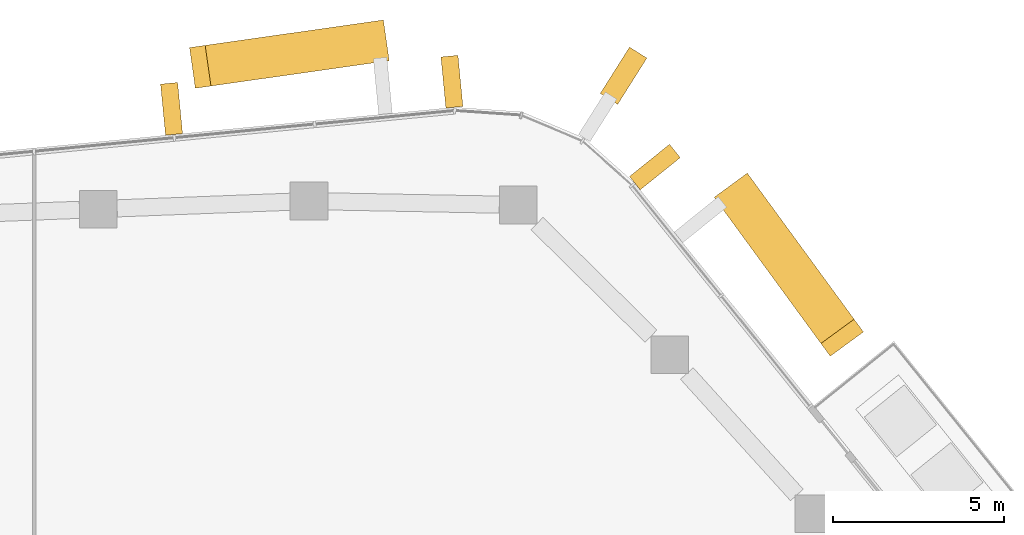
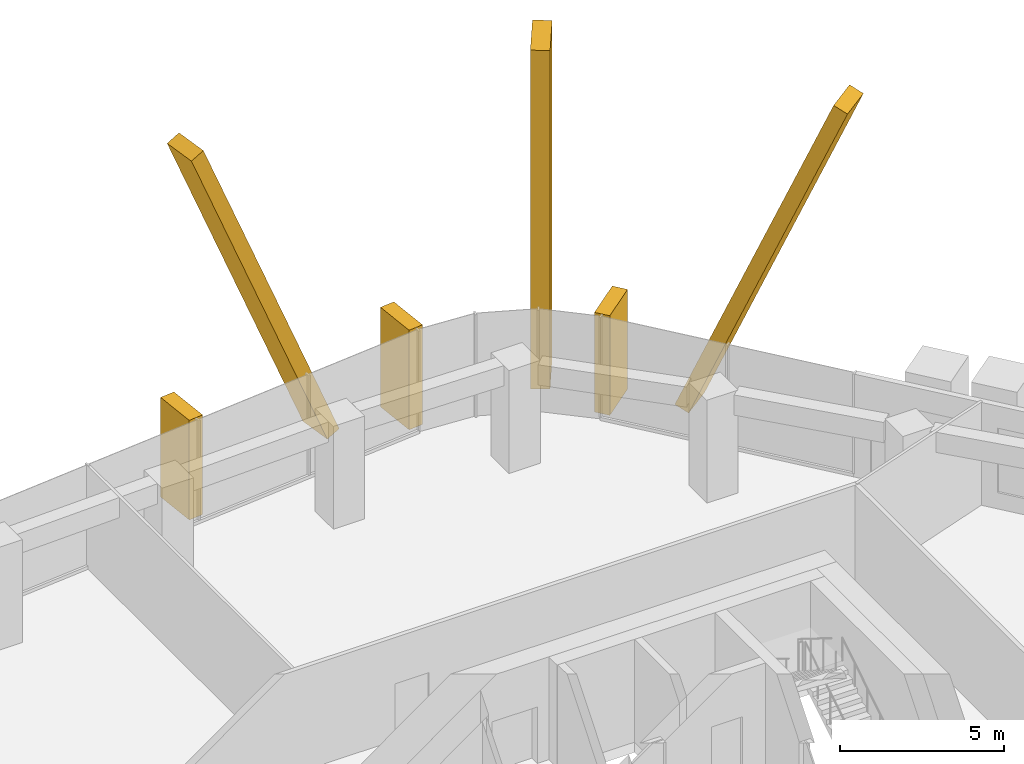
# One storey, part 20 of 20: 6 coverings, 3 elements without a shape of their own.
"""IFC4 building model written with IfcOpenShell, lengths in metres."""

import ifcopenshell
import ifcopenshell.guid

model = None  # the IFC model being written
_history = None  # IfcOwnerHistory: only IFC2X3 demands one
_inside = {}  # id of a spatial element -> (the spatial element, [elements in it])
_under = {}  # id of a project, library or spatial element -> (it, [spatial elements below it])
_declared = {}  # id of a project -> (the project, [libraries it declares])
_typed = {}  # id of a type object -> (the type object, [elements of that type])
_made_of = {}  # id of a material, layer set ... -> (it, [elements and type objects made of it])


def new_model(schema):
    """Start an empty IFC model of exactly this schema.

    Asked for "IFC4X3", IfcOpenShell would pick the latest addendum, in which some entities
    have other attributes; the version numbers below select the first issue.
    IFC2X3 requires an IfcOwnerHistory on every rooted entity: one is made here for all.
    """
    global model, _history
    if schema == "IFC4X3":
        model = ifcopenshell.file(schema_version=(4, 3, 0, 0))
    else:
        model = ifcopenshell.file(schema=schema)
    _inside.clear()
    _under.clear()
    _declared.clear()
    _typed.clear()
    _made_of.clear()
    _history = None
    if model.schema == "IFC2X3":
        org = make("IfcOrganization", Name="unknown")
        user = make(
            "IfcPersonAndOrganization",
            ThePerson=make("IfcPerson", FamilyName="unknown"),
            TheOrganization=org,
        )
        app = make(
            "IfcApplication",
            ApplicationDeveloper=org,
            Version="unknown",
            ApplicationFullName="unknown",
            ApplicationIdentifier="unknown",
        )
        _history = make(
            "IfcOwnerHistory",
            OwningUser=user,
            OwningApplication=app,
            ChangeAction="ADDED",
            CreationDate=0,
        )
    return model


def make(cls, **values):
    """One entity of the class cls with the attributes given. An attribute that is None is left unset."""
    return model.create_entity(
        cls, **{name: value for name, value in values.items() if value is not None}
    )


def rooted(cls, **values):
    """An entity with a GlobalId (a new one), such as an element, a storey or a relation."""
    return make(cls, GlobalId=ifcopenshell.guid.new(), OwnerHistory=_history, **values)


def si_unit(unit_type, name, prefix=None):
    """IfcSIUnit, for example si_unit("LENGTHUNIT", "METRE", prefix="MILLI")."""
    return make("IfcSIUnit", UnitType=unit_type, Prefix=prefix, Name=name)


def assignment(units):
    """IfcUnitAssignment: the units of a project."""
    return None if units is None else make("IfcUnitAssignment", Units=units)


def point(xyz):
    """IfcCartesianPoint."""
    return None if xyz is None else make("IfcCartesianPoint", Coordinates=xyz)


def direction(xyz):
    """IfcDirection."""
    return None if xyz is None else make("IfcDirection", DirectionRatios=xyz)


def frame(location, z_axis=None, x_axis=None):
    """IfcAxis2Placement3D, a coordinate frame: its origin and axes. An axis left out is left unset."""
    return make(
        "IfcAxis2Placement3D",
        Location=point(location),
        Axis=direction(z_axis),
        RefDirection=direction(x_axis),
    )


def frame_2d(location, x_axis=None):
    """IfcAxis2Placement2D, a coordinate frame in the plane: its origin and x axis."""
    return make(
        "IfcAxis2Placement2D", Location=point(location), RefDirection=direction(x_axis)
    )


def origin():
    """The frame at (0, 0, 0) with its axes left unset."""
    return frame((0.0, 0.0, 0.0))


def origin_2d():
    """The frame at (0, 0) in the plane with its x axis left unset."""
    return frame_2d((0.0, 0.0))


def place(relative_to, where):
    """IfcLocalPlacement: puts the frame where relative to a parent placement (None: the world)."""
    return make(
        "IfcLocalPlacement", PlacementRelTo=relative_to, RelativePlacement=where
    )


def context(
    kind, dimensions, precision=None, world=None, true_north=None, identifier=None
):
    """IfcGeometricRepresentationContext, for example the 3D "Model" context."""
    return make(
        "IfcGeometricRepresentationContext",
        ContextIdentifier=identifier,
        ContextType=kind,
        CoordinateSpaceDimension=dimensions,
        Precision=precision,
        WorldCoordinateSystem=world,
        TrueNorth=true_north,
    )


def subcontext(parent, identifier, kind, view, scale=None):
    """IfcGeometricRepresentationSubContext, for example "Body" below "Model"."""
    return make(
        "IfcGeometricRepresentationSubContext",
        ContextIdentifier=identifier,
        ContextType=kind,
        ParentContext=parent,
        TargetScale=scale,
        TargetView=view,
    )


def project(units=None, contexts=None):
    """IfcProject with its units and contexts."""
    return rooted(
        "IfcProject",
        Name="project",
        RepresentationContexts=contexts,
        UnitsInContext=assignment(units),
    )


def spatial(cls, under=None, at=None, **own):
    """A site, building, storey or space (cls), placed at a placement, below another one or the project."""
    s = rooted(cls, ObjectPlacement=at, **own)
    if under is not None:
        _under.setdefault(under.id(), (under, []))[1].append(s)
    return s


def profile(cls, at=None, kind="AREA", **sizes):
    """A parametric profile (cls). Its sizes go by their IFC names, for example OverallWidth=200.0."""
    return make(cls, ProfileType=kind, Position=at, **sizes)


def rectangle(**sizes):
    """IfcRectangleProfileDef."""
    return profile("IfcRectangleProfileDef", **sizes)


def extrude(swept, where, along, depth):
    """IfcExtrudedAreaSolid: the profile swept, set in the frame where, extruded along a direction by depth."""
    return make(
        "IfcExtrudedAreaSolid",
        SweptArea=swept,
        Position=where,
        ExtrudedDirection=direction(along),
        Depth=depth,
    )


def shape(context_of_items, identifier, shape_type, items):
    """IfcShapeRepresentation: the items that make up one representation, for example the "Body"."""
    return make(
        "IfcShapeRepresentation",
        ContextOfItems=context_of_items,
        RepresentationIdentifier=identifier,
        RepresentationType=shape_type,
        Items=items,
    )


def material(Name=None, Category=None):
    """IfcMaterial."""
    return make("IfcMaterial", Name=Name, Category=Category)


def layer(
    of_material, thickness, ventilated=None, Name=None, Category=None, Priority=None
):
    """IfcMaterialLayer: one layer of a wall or slab, of a material (None: an air gap)."""
    return make(
        "IfcMaterialLayer",
        Material=of_material,
        LayerThickness=thickness,
        IsVentilated=ventilated,
        Name=Name,
        Category=Category,
        Priority=Priority,
    )


def layer_set(layers, Name=None):
    """IfcMaterialLayerSet."""
    return make("IfcMaterialLayerSet", MaterialLayers=layers, LayerSetName=Name)


def material_profile(
    of_material, cross_section, Name=None, Category=None, Priority=None
):
    """IfcMaterialProfile: a cross section and its material."""
    return make(
        "IfcMaterialProfile",
        Name=Name,
        Material=of_material,
        Profile=cross_section,
        Priority=Priority,
        Category=Category,
    )


def profile_set(profiles, Name=None, composite=None):
    """IfcMaterialProfileSet."""
    return make(
        "IfcMaterialProfileSet",
        Name=Name,
        MaterialProfiles=profiles,
        CompositeProfile=composite,
    )


def made_of(thing, what):
    """Note that an element or type object is made of a material, layer set ...; save() writes the relation."""
    if what is not None:
        _made_of.setdefault(what.id(), (what, []))[1].append(thing)
    return thing


def type_object(cls, material=None, **own):
    """A type object (cls), such as IfcWallType, which elements share."""
    return made_of(rooted(cls, **own), material)


def element(
    cls,
    number,
    at=None,
    inside=None,
    cuts=None,
    type_object=None,
    material=None,
    context=None,
    identifier="Body",
    shape_type=None,
    held_by="IfcProductDefinitionShape",
    body=None,
    shapes=None,
    **own,
):
    """One element of the class cls, such as IfcWall. Its Tag is "e" and its number.

    at: its placement. inside: the storey or other place that contains it. cuts: it is an
    opening in that element (IfcRelVoidsElement). A single representation is given by context,
    identifier, shape_type and body (its items); several are given by shapes. held_by: the class
    of the entity that holds the representations. save() writes the other relations.
    """
    e = rooted(cls, Tag="e%d" % number, ObjectPlacement=at, **own)
    if body is not None:
        shapes = [shape(context, identifier, shape_type, body)]
    if shapes is not None:
        e.Representation = make(held_by, Representations=shapes)
    if inside is not None:
        _inside.setdefault(inside.id(), (inside, []))[1].append(e)
    if cuts is not None:
        rooted(
            "IfcRelVoidsElement", RelatingBuildingElement=cuts, RelatedOpeningElement=e
        )
    if type_object is not None:
        _typed.setdefault(type_object.id(), (type_object, []))[1].append(e)
    return made_of(e, material)


def aggregate(whole, parts):
    """IfcRelAggregates: a whole, such as a stair, and the parts it consists of."""
    return rooted("IfcRelAggregates", RelatingObject=whole, RelatedObjects=parts)


def save(model, path):
    """Write the relations noted so far, then the file.

    IfcRelAggregates (storeys below a building ...), IfcRelContainedInSpatialStructure (elements
    in a storey), IfcRelDefinesByType, IfcRelAssociatesMaterial and IfcRelDeclares: one each for
    every whole, place, type object, material and project.
    """
    for whole, parts in _under.values():
        aggregate(whole, parts)
    for where, things in _inside.values():
        rooted(
            "IfcRelContainedInSpatialStructure",
            RelatedElements=things,
            RelatingStructure=where,
        )
    for kind, things in _typed.values():
        rooted("IfcRelDefinesByType", RelatedObjects=things, RelatingType=kind)
    for what, things in _made_of.values():
        rooted("IfcRelAssociatesMaterial", RelatedObjects=things, RelatingMaterial=what)
    for by, libraries in _declared.values():
        rooted("IfcRelDeclares", RelatingContext=by, RelatedDefinitions=libraries)
    model.write(path)


model = new_model("IFC4")

# Units and contexts
model_context = context("Model", 3, precision=1e-05, world=origin(), true_north=direction((0.0, 1.0)))
body_context = subcontext(model_context, "Body", "Model", "MODEL_VIEW")
ifc_project = project(units=[si_unit("LENGTHUNIT", "METRE"), si_unit("AREAUNIT", "SQUARE_METRE"), si_unit("VOLUMEUNIT", "CUBIC_METRE"), si_unit("PLANEANGLEUNIT", "RADIAN"), si_unit("MASSUNIT", "GRAM", prefix="KILO")], contexts=[model_context])

# Site, building, storey
site_placement = place(None, origin())
site = spatial("IfcSite", under=ifc_project, at=site_placement, CompositionType="ELEMENT")
building_placement = place(site_placement, origin())
building = spatial("IfcBuilding", under=site, at=building_placement, Name="Dongbaek Canopy Tower", CompositionType="ELEMENT")
storey_placement = place(building_placement, frame((0.0, 0.0, 253.800048828125)))
storey = spatial("IfcBuildingStorey", under=building, at=storey_placement, Name="L53", CompositionType="ELEMENT", Elevation=253.800048828125)

# Curtain wall, covering
ifc_material_1 = material(Name="Aluminium 6063-T6 pale anodised", Category="aluminium")
ifc_layer = layer(ifc_material_1, 0.199951171875)
ifc_layer_set = layer_set([ifc_layer], Name="CW-1 unitised tower curtain wall")
curtain_wall_type = type_object("IfcCurtainWallType", Name="CW-1 unitised tower curtain wall", PredefinedType="NOTDEFINED", material=ifc_layer_set)
curtain_wall_1_placement = place(storey_placement, origin())
curtain_wall_1 = element("IfcCurtainWall", 1, at=curtain_wall_1_placement, inside=storey, type_object=curtain_wall_type, Name="CW-1 curtain wall K1.1", PredefinedType="NOTDEFINED")
ifc_material_2 = material(Name="Aluminium 6063-T6 pale metal fin", Category="aluminium")
ifc_material_profile_1 = material_profile(ifc_material_2, rectangle(XDim=1.60009765625, YDim=0.60009765625, at=origin_2d()), Name="Corner fin CN1 600 x 1600 pale metal")
ifc_profile_set_1 = profile_set([ifc_material_profile_1], Name="Aluminium 6063-T6 pale metal fin")
covering_type_1 = type_object("IfcCoveringType", Name="Corner fin CN1 600 x 1600 pale metal", PredefinedType="CLADDING", material=ifc_profile_set_1)
covering_1_placement = place(storey_placement, frame((14.069091796875, 28.37109375, -0.18994140625), z_axis=(0.0, 0.0, 1.0), x_axis=(0.533974629453, 0.845500499764, 0.0)))
covering_1 = element("IfcCovering", 2, at=covering_1_placement, type_object=covering_type_1, Name="Corner fin L53 L55 K1", PredefinedType="CLADDING", context=body_context, shape_type="SweptSolid", body=[
    extrude(rectangle(XDim=1.60009765625, YDim=0.60009765625, at=origin_2d()), origin(), (0.0, 0.0, 1.0), 12.579833984375),
])
aggregate(curtain_wall_1, [covering_1])

curtain_wall_2_placement = place(storey_placement, origin())
curtain_wall_2 = element("IfcCurtainWall", 3, at=curtain_wall_2_placement, inside=storey, type_object=curtain_wall_type, Name="CW-1 curtain wall F0.1", PredefinedType="NOTDEFINED")
ifc_material_3 = material(Name="Aluminium 6063-T6 pale metal fin", Category="aluminium")
ifc_material_profile_2 = material_profile(ifc_material_3, rectangle(XDim=1.199951171875, YDim=0.5, at=origin_2d()), Name="Crease fin CF1 500 x 1200 pale metal")
ifc_profile_set_2 = profile_set([ifc_material_profile_2], Name="Aluminium 6063-T6 pale metal fin")
covering_type_2 = type_object("IfcCoveringType", Name="Crease fin CF1 500 x 1200 pale metal", PredefinedType="CLADDING", material=ifc_profile_set_2)
covering_2_placement = place(storey_placement, frame((17.33203125, 24.989501953125, -0.18994140625), z_axis=(0.228223807006, -0.312172714406, 0.922205015328), x_axis=(0.80727088194, 0.59018109354, 0.0)))
covering_2 = element("IfcCovering", 4, at=covering_2_placement, type_object=covering_type_2, Name="Crease fin L53 L56 F0", PredefinedType="CLADDING", context=body_context, shape_type="SweptSolid", body=[
    extrude(rectangle(XDim=1.199951171875, YDim=0.5, at=origin_2d()), origin(), (0.0, 0.0, 1.0), 13.662841796875),
])

curtain_wall_3_placement = place(storey_placement, origin())
curtain_wall_3 = element("IfcCurtainWall", 5, at=curtain_wall_3_placement, inside=storey, type_object=curtain_wall_type, Name="CW-1 curtain wall F1.1", PredefinedType="NOTDEFINED")
covering_3_placement = place(storey_placement, frame((6.9130859375, 29.372802734375, -0.18994140625), z_axis=(-0.381110906247, -0.05420426807, 0.9229389874), x_axis=(0.140809960387, -0.990036643289, 0.0)))
covering_3 = element("IfcCovering", 6, at=covering_3_placement, type_object=covering_type_2, Name="Crease fin L53 L56 F1", PredefinedType="CLADDING", context=body_context, shape_type="SweptSolid", body=[
    extrude(rectangle(XDim=1.199951171875, YDim=0.5, at=origin_2d()), origin(), (0.0, 0.0, 1.0), 13.65185546875),
])

# Covering
ifc_material_4 = material(Name="Aluminium 6063-T6 pale metal fin", Category="aluminium")
ifc_material_profile_3 = material_profile(ifc_material_4, rectangle(XDim=1.5, YDim=0.5, at=origin_2d()), Name="Fin FN1 500 x 1500 pale metal")
ifc_profile_set_3 = profile_set([ifc_material_profile_3], Name="Aluminium 6063-T6 pale metal fin")
covering_type_3 = type_object("IfcCoveringType", Name="Fin FN1 500 x 1500 pale metal", PredefinedType="CLADDING", material=ifc_profile_set_3)
covering_4_placement = place(storey_placement, frame((14.9814453125, 25.705322265625, 0.119873046875), z_axis=(0.0, 0.0, 1.0), x_axis=(0.779126406475, 0.626866846096, 0.0)))
covering_4 = element("IfcCovering", 7, at=covering_4_placement, type_object=covering_type_3, Name="Fin F0.1.3", PredefinedType="CLADDING", context=body_context, shape_type="SweptSolid", body=[
    extrude(rectangle(XDim=1.5, YDim=0.5, at=origin_2d()), origin(), (0.0, 0.0, 1.0), 3.7001953125),
])

aggregate(curtain_wall_2, [covering_4, covering_2])

covering_5_placement = place(storey_placement, frame((9.0576171875, 28.197998046875, 0.119873046875), z_axis=(0.0, 0.0, 1.0), x_axis=(-0.096505718384, 0.995332430055, 0.0)))
covering_5 = element("IfcCovering", 8, at=covering_5_placement, type_object=covering_type_3, Name="Fin F1.1.1", PredefinedType="CLADDING", context=body_context, shape_type="SweptSolid", body=[
    extrude(rectangle(XDim=1.5, YDim=0.5, at=origin_2d()), origin(), (0.0, 0.0, 1.0), 3.7001953125),
])

covering_6_placement = place(storey_placement, frame((0.873046875, 27.404541015625, 0.119873046875), z_axis=(0.0, 0.0, 1.0), x_axis=(-0.096505718384, 0.995332430055, 0.0)))
covering_6 = element("IfcCovering", 9, at=covering_6_placement, type_object=covering_type_3, Name="Fin F1.1.3", PredefinedType="CLADDING", context=body_context, shape_type="SweptSolid", body=[
    extrude(rectangle(XDim=1.5, YDim=0.5, at=origin_2d()), origin(), (0.0, 0.0, 1.0), 3.7001953125),
])

aggregate(curtain_wall_3, [covering_5, covering_6, covering_3])

save(model, "model.ifc")
